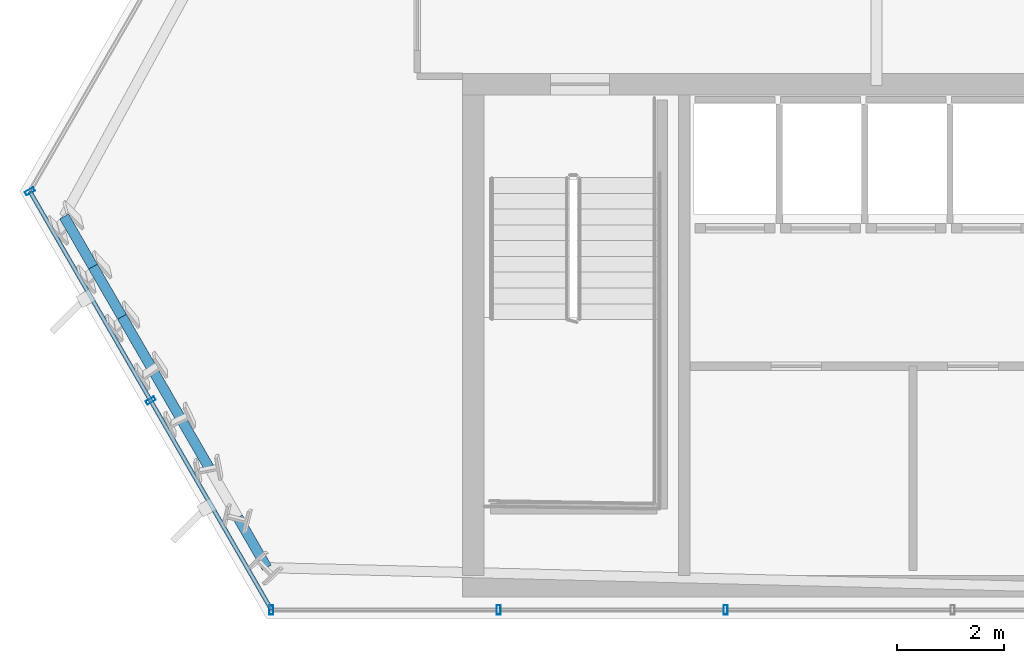
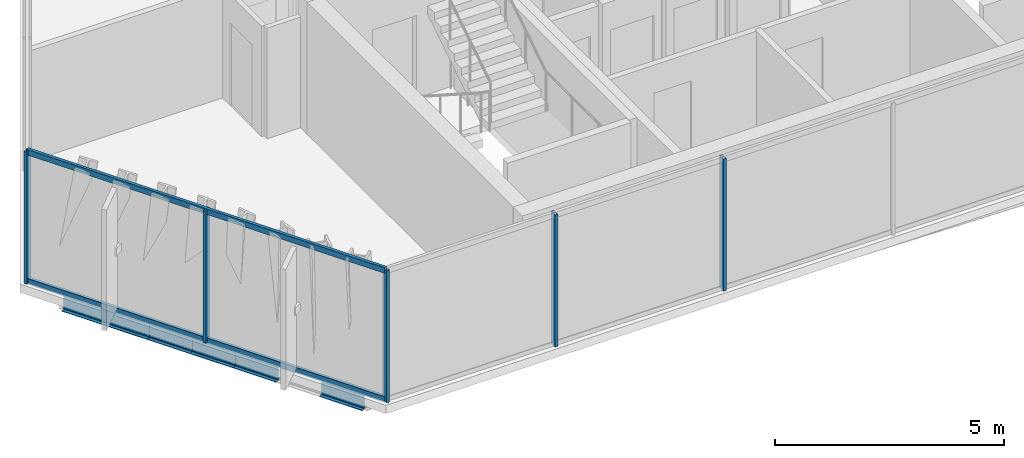
# One storey, part 2 of 34: 7 members, 6 beams, 2 elements without a shape of their own.
"""IFC4 building model written with IfcOpenShell, lengths in metres."""

from ifc_helpers import new_model, si_unit, direction, frame, origin, origin_2d, place, context, subcontext, project, spatial, hollow_rectangle, i_section, extrude, material, layer, layer_set, material_profile, profile_set, type_object, element, aggregate, save


model = new_model("IFC4")

# Units and contexts
model_context = context("Model", 3, precision=1e-05, world=origin(), true_north=direction((0.0, 1.0)))
body_context = subcontext(model_context, "Body", "Model", "MODEL_VIEW")
ifc_project = project(units=[si_unit("LENGTHUNIT", "METRE"), si_unit("AREAUNIT", "SQUARE_METRE"), si_unit("VOLUMEUNIT", "CUBIC_METRE"), si_unit("PLANEANGLEUNIT", "RADIAN"), si_unit("MASSUNIT", "GRAM", prefix="KILO")], contexts=[model_context])

# Site, building, storey
site_placement = place(None, origin())
site = spatial("IfcSite", under=ifc_project, at=site_placement, CompositionType="ELEMENT")
building_placement = place(site_placement, origin())
building = spatial("IfcBuilding", under=site, at=building_placement, Name="Ndaravel Arena Tower", CompositionType="ELEMENT")
storey_placement = place(building_placement, frame((0.0, 0.0, 199.199951171875)))
storey = spatial("IfcBuildingStorey", under=building, at=storey_placement, Name="L48", CompositionType="ELEMENT", Elevation=199.199951171875)

# Beams
ifc_material_1 = material(Name="Steel S355", Category="steel")
ifc_material_profile_1 = material_profile(ifc_material_1, i_section(OverallWidth=0.18994140625, OverallDepth=0.449951171875, WebThickness=0.009521484375, FlangeThickness=0.0146484375, FilletRadius=0.02099609375, at=origin_2d()), Name="IPE 450")
ifc_profile_set_1 = profile_set([ifc_material_profile_1], Name="Steel S355")
beam_type = type_object("IfcBeamType", Name="BM-SPAN-IPE450", PredefinedType="SPANDREL", material=ifc_profile_set_1)
for number, where, z_axis, x_axis, name in (
    (1, (18.989013671875, 12.5244140625, -0.445068359375), (0.499988774596, -0.866031884678, 0.0), (0.866031884678, 0.499988774596, 0.0), "L48 Perimeter Spandrel Beam SP-20"),
    (2, (19.53125, 11.585205078125, -0.445068359375), (0.499988774596, -0.866031884678, 0.0), (0.866031884678, 0.499988774596, 0.0), "L48 Perimeter Spandrel Beam SP-21"),
    (3, (20.073486328125, 10.64599609375, -0.445068359375), (0.499988774596, -0.866031884678, 0.0), (0.866031884678, 0.499988774596, 0.0), "L48 Perimeter Spandrel Beam SP-22"),
):
    element("IfcBeam", number, at=place(storey_placement, frame(where, z_axis=z_axis, x_axis=x_axis)), inside=storey, type_object=beam_type, Name=name, PredefinedType="SPANDREL", context=body_context, shape_type="SweptSolid", body=[
        extrude(i_section(OverallWidth=0.18994140625, OverallDepth=0.449951171875, WebThickness=0.009521484375, FlangeThickness=0.0146484375, FilletRadius=0.02099609375, at=origin_2d()), origin(), (0.0, 0.0, 1.0), 1.08447265625),
    ])
beam_placement = place(storey_placement, frame((20.61572265625, 9.706787109375, -0.445068359375), z_axis=(0.499891312606, -0.866088145388, 0.0), x_axis=(0.866088145388, 0.499891312606, 0.0)))
element("IfcBeam", 4, at=beam_placement, inside=storey, type_object=beam_type, Name="L48 Perimeter Spandrel Beam SP-23", PredefinedType="SPANDREL", context=body_context, shape_type="SweptSolid", body=[
    extrude(i_section(OverallWidth=0.18994140625, OverallDepth=0.449951171875, WebThickness=0.009521484375, FlangeThickness=0.0146484375, FilletRadius=0.02099609375, at=origin_2d()), origin(), (0.0, 0.0, 1.0), 1.084716796875),
])
for number, where, z_axis, x_axis, name in (
    (5, (21.157958984375, 8.767333984375, -0.445068359375), (0.499988774596, -0.866031884678, 0.0), (0.866031884678, 0.499988774596, 0.0), "L48 Perimeter Spandrel Beam SP-24"),
    (6, (22.24267578125, 6.888916015625, -0.445068359375), (0.499988774596, -0.866031884678, 0.0), (0.866031884678, 0.499988774596, 0.0), "L48 Perimeter Spandrel Beam SP-26"),
):
    element("IfcBeam", number, at=place(storey_placement, frame(where, z_axis=z_axis, x_axis=x_axis)), inside=storey, type_object=beam_type, Name=name, PredefinedType="SPANDREL", context=body_context, shape_type="SweptSolid", body=[
        extrude(i_section(OverallWidth=0.18994140625, OverallDepth=0.449951171875, WebThickness=0.009521484375, FlangeThickness=0.0146484375, FilletRadius=0.02099609375, at=origin_2d()), origin(), (0.0, 0.0, 1.0), 1.08447265625),
    ])

# Curtain wall, members
ifc_material_2 = material(Name="Aluminium", Category="aluminium")
ifc_layer_1 = layer(ifc_material_2, 0.179931640625)
ifc_layer_set_1 = layer_set([ifc_layer_1], Name="Aluminium")
curtain_wall_type_1 = type_object("IfcCurtainWallType", Name="CW-SYS-03", PredefinedType="NOTDEFINED", material=ifc_layer_set_1)
curtain_wall_1_placement = place(storey_placement, origin())
curtain_wall_1 = element("IfcCurtainWall", 7, at=curtain_wall_1_placement, inside=storey, type_object=curtain_wall_type_1, Name="L48 Faceted Crystal Curtain Wall CW-L48-E01", PredefinedType="NOTDEFINED")
ifc_material_3 = material(Name="Aluminium", Category="aluminium")
ifc_material_profile_2 = material_profile(ifc_material_3, hollow_rectangle(XDim=0.074951171875, YDim=0.179931640625, WallThickness=0.00390625, at=origin_2d()), Name="CW MULLION 75x180x4")
ifc_profile_set_2 = profile_set([ifc_material_profile_2], Name="Aluminium")
member_type_1 = type_object("IfcMemberType", Name="MEM-CW-MUL180", PredefinedType="MULLION", material=ifc_profile_set_2)
member_1_placement = place(storey_placement, frame((22.871337890625, 5.159912109375, 0.0), z_axis=(0.0, 0.0, 1.0), x_axis=(1.0, 0.0, 0.0)))
member_1 = element("IfcMember", 8, at=member_1_placement, type_object=member_type_1, Name="CW-L48-E01 Mullion 00", PredefinedType="MULLION", context=body_context, shape_type="SweptSolid", body=[
    extrude(hollow_rectangle(XDim=0.074951171875, YDim=0.179931640625, WallThickness=0.00390625, at=origin_2d()), origin(), (0.0, 0.0, 1.0), 3.52001953125),
])
member_2_placement = place(storey_placement, frame((27.1220703125, 5.159912109375, 0.0), z_axis=(0.0, 0.0, 1.0), x_axis=(1.0, 0.0, 0.0)))
member_2 = element("IfcMember", 9, at=member_2_placement, type_object=member_type_1, Name="CW-L48-E01 Mullion 01", PredefinedType="MULLION", context=body_context, shape_type="SweptSolid", body=[
    extrude(hollow_rectangle(XDim=0.074951171875, YDim=0.179931640625, WallThickness=0.00390625, at=origin_2d()), origin(), (0.0, 0.0, 1.0), 3.52001953125),
])
member_3_placement = place(storey_placement, frame((31.372802734375, 5.159912109375, 0.0), z_axis=(0.0, 0.0, 1.0), x_axis=(1.0, 0.0, 0.0)))
member_3 = element("IfcMember", 10, at=member_3_placement, type_object=member_type_1, Name="CW-L48-E01 Mullion 02", PredefinedType="MULLION", context=body_context, shape_type="SweptSolid", body=[
    extrude(hollow_rectangle(XDim=0.074951171875, YDim=0.179931640625, WallThickness=0.00390625, at=origin_2d()), origin(), (0.0, 0.0, 1.0), 3.52001953125),
])
aggregate(curtain_wall_1, [member_1, member_2, member_3])

ifc_material_4 = material(Name="Aluminium", Category="aluminium")
ifc_layer_2 = layer(ifc_material_4, 0.179931640625)
ifc_layer_set_2 = layer_set([ifc_layer_2], Name="Aluminium")
curtain_wall_type_2 = type_object("IfcCurtainWallType", Name="CW-SYS-02", PredefinedType="NOTDEFINED", material=ifc_layer_set_2)
curtain_wall_2_placement = place(storey_placement, origin())
curtain_wall_2 = element("IfcCurtainWall", 11, at=curtain_wall_2_placement, inside=storey, type_object=curtain_wall_type_2, Name="L48 Faceted Crystal Curtain Wall CW-L48-E06", PredefinedType="NOTDEFINED")
member_4_placement = place(storey_placement, frame((18.348388671875, 12.994140625, 0.0), z_axis=(0.0, 0.0, 1.0), x_axis=(0.5, -0.866025403784, 0.0)))
member_4 = element("IfcMember", 12, at=member_4_placement, type_object=member_type_1, Name="CW-L48-E06 Mullion 00", PredefinedType="MULLION", context=body_context, shape_type="SweptSolid", body=[
    extrude(hollow_rectangle(XDim=0.074951171875, YDim=0.179931640625, WallThickness=0.00390625, at=origin_2d()), origin(), (0.0, 0.0, 1.0), 3.52001953125),
])
member_5_placement = place(storey_placement, frame((20.60986328125, 9.076904296875, 0.0), z_axis=(0.0, 0.0, 1.0), x_axis=(0.5, -0.866025403784, 0.0)))
member_5 = element("IfcMember", 13, at=member_5_placement, type_object=member_type_1, Name="CW-L48-E06 Mullion 01", PredefinedType="MULLION", context=body_context, shape_type="SweptSolid", body=[
    extrude(hollow_rectangle(XDim=0.074951171875, YDim=0.179931640625, WallThickness=0.00390625, at=origin_2d()), origin(), (0.0, 0.0, 1.0), 3.52001953125),
])
ifc_material_5 = material(Name="Aluminium", Category="aluminium")
ifc_material_profile_3 = material_profile(ifc_material_5, hollow_rectangle(XDim=0.074951171875, YDim=0.14990234375, WallThickness=0.00390625, at=origin_2d()), Name="CW TRANSOM 75x150x4")
ifc_profile_set_3 = profile_set([ifc_material_profile_3], Name="Aluminium")
member_type_2 = type_object("IfcMemberType", Name="MEM-CW-TRN150", PredefinedType="USERDEFINED", material=ifc_profile_set_3)
member_6_placement = place(storey_placement, frame((18.348388671875, 12.994140625, 0.0400390625), z_axis=(0.49998800113, -0.866032331224, 0.0), x_axis=(0.866032331224, 0.49998800113, 0.0)))
member_6 = element("IfcMember", 14, at=member_6_placement, type_object=member_type_2, Name="CW-L48-E06 Transom 01", ObjectType="TRANSOM", PredefinedType="USERDEFINED", context=body_context, shape_type="SweptSolid", body=[
    extrude(hollow_rectangle(XDim=0.074951171875, YDim=0.14990234375, WallThickness=0.00390625, at=origin_2d()), origin(), (0.0, 0.0, 1.0), 9.046142578125),
])
member_7_placement = place(storey_placement, frame((18.348388671875, 12.994140625, 3.47998046875), z_axis=(0.49998800113, -0.866032331224, 0.0), x_axis=(0.866032331224, 0.49998800113, 0.0)))
member_7 = element("IfcMember", 15, at=member_7_placement, type_object=member_type_2, Name="CW-L48-E06 Transom 02", ObjectType="TRANSOM", PredefinedType="USERDEFINED", context=body_context, shape_type="SweptSolid", body=[
    extrude(hollow_rectangle(XDim=0.074951171875, YDim=0.14990234375, WallThickness=0.00390625, at=origin_2d()), origin(), (0.0, 0.0, 1.0), 9.046142578125),
])
aggregate(curtain_wall_2, [member_4, member_5, member_6, member_7])

save(model, "model.ifc")
